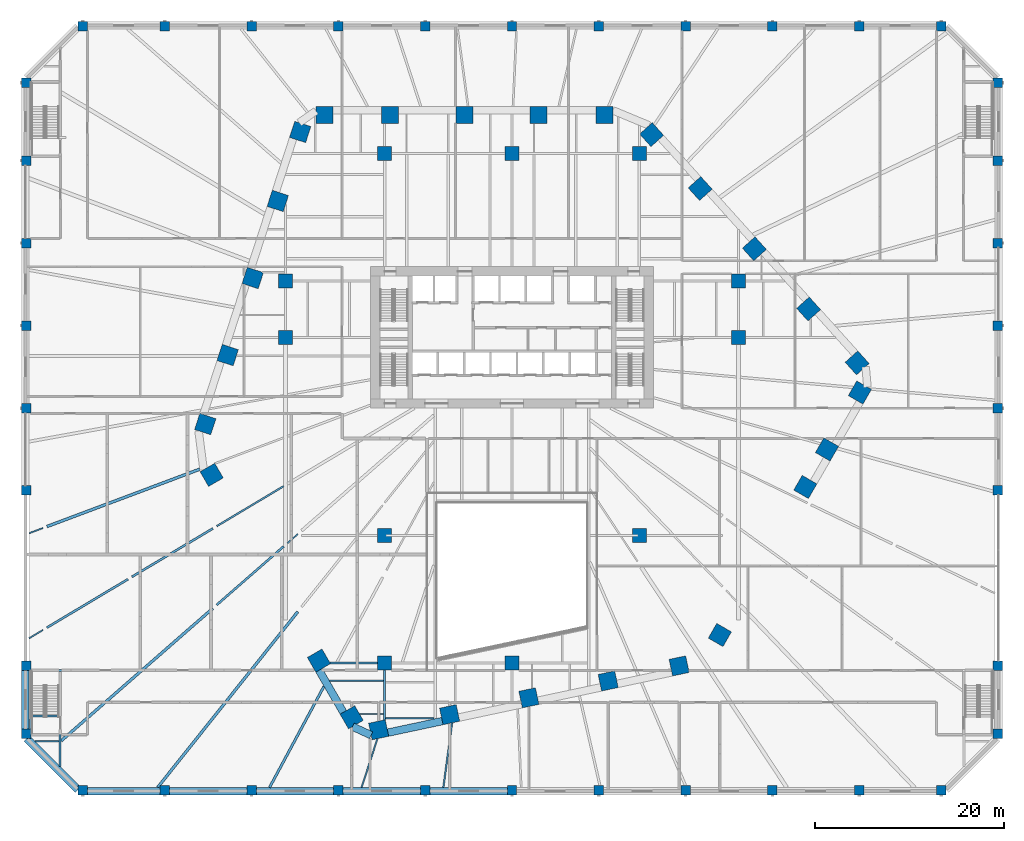
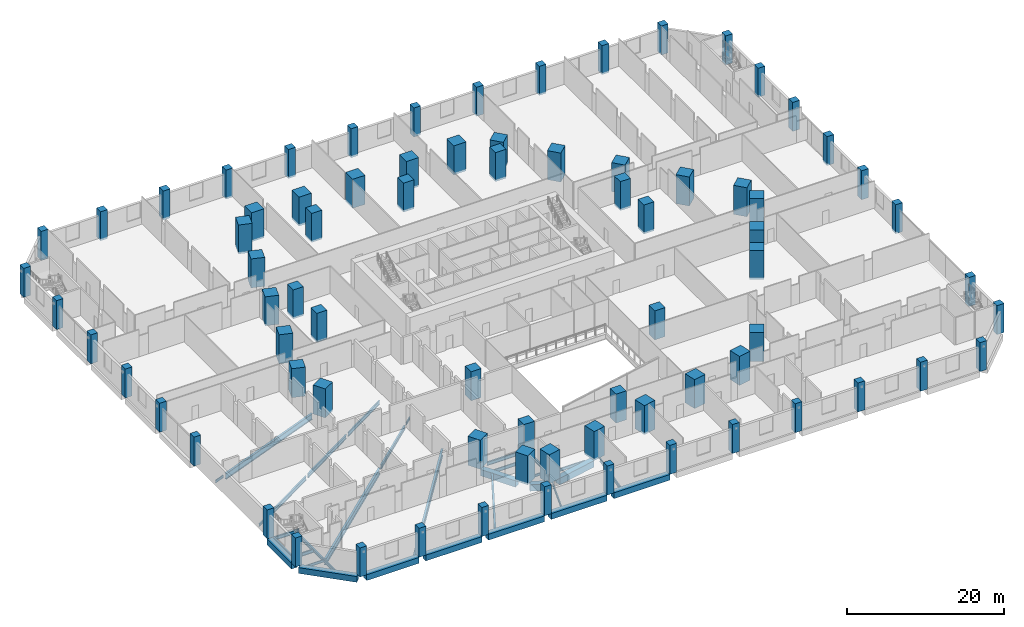
# One storey, part 1 of 33: 76 columns, 33 beams.
"""IFC4 building model written with IfcOpenShell, lengths in metres."""

from ifc_helpers import new_model, si_unit, direction, frame, origin, origin_2d, place, context, subcontext, project, spatial, rectangle, i_section, extrude, material, material_profile, profile_set, type_object, element, save


model = new_model("IFC4")

# Units and contexts
model_context = context("Model", 3, precision=1e-05, world=origin(), true_north=direction((0.0, 1.0)))
body_context = subcontext(model_context, "Body", "Model", "MODEL_VIEW")
ifc_project = project(units=[si_unit("LENGTHUNIT", "METRE"), si_unit("AREAUNIT", "SQUARE_METRE"), si_unit("VOLUMEUNIT", "CUBIC_METRE"), si_unit("PLANEANGLEUNIT", "RADIAN"), si_unit("MASSUNIT", "GRAM", prefix="KILO")], contexts=[model_context])

# Site, building, storey
site_placement = place(None, origin())
site = spatial("IfcSite", under=ifc_project, at=site_placement, CompositionType="ELEMENT")
building_placement = place(site_placement, origin())
building = spatial("IfcBuilding", under=site, at=building_placement, Name="Isthmus Gate Tower", CompositionType="ELEMENT")
storey_placement = place(building_placement, frame((0.0, 0.0, 22.5)))
storey = spatial("IfcBuildingStorey", under=building, at=storey_placement, Name="L03", CompositionType="ELEMENT", Elevation=22.5)

# Columns
ifc_material_1 = material(Name="Concrete f'c 70 MPa", Category="concrete")
ifc_material_profile_1 = material_profile(ifc_material_1, rectangle(XDim=1.5, YDim=1.5, at=origin_2d()), Name="RC 1500X1500")
ifc_profile_set_1 = profile_set([ifc_material_profile_1], Name="Concrete f'c 70 MPa")
column_type_1 = type_object("IfcColumnType", Name="RC INTERIOR COLUMN 1500 X 1500", PredefinedType="COLUMN", material=ifc_profile_set_1)
for number, where, z_axis, x_axis, name in (
    (1, (-24.0, 7.5, -0.300048828125), (0.0, 0.0, 1.0), (1.0, 0.0, 0.0), "str-icol-L03-ICA3"),
    (2, (-24.0, 13.5, -0.300048828125), (0.0, 0.0, 1.0), (1.0, 0.0, 0.0), "str-icol-L03-ICA4"),
    (3, (-13.5, -27.0, -0.300048828125), (0.0, 0.0, 1.0), (1.0, 0.0, 0.0), "str-icol-L03-ICB1"),
    (4, (-13.5, -13.5, -0.300048828125), (0.0, 0.0, 1.0), (1.0, 0.0, 0.0), "str-icol-L03-ICB2"),
    (5, (-13.5, 27.0, -0.300048828125), (0.0, 0.0, 1.0), (1.0, 0.0, 0.0), "str-icol-L03-ICB5"),
    (6, (0.0, -27.0, -0.300048828125), (0.0, 0.0, 1.0), (1.0, 0.0, 0.0), "str-icol-L03-ICC1"),
    (7, (0.0, 27.0, -0.300048828125), (0.0, 0.0, 1.0), (1.0, 0.0, 0.0), "str-icol-L03-ICC5"),
    (8, (13.5, -13.5, -0.300048828125), (0.0, 0.0, 1.0), (1.0, 0.0, 0.0), "str-icol-L03-ICD2"),
    (9, (13.5, 27.0, -0.300048828125), (0.0, 0.0, 1.0), (1.0, 0.0, 0.0), "str-icol-L03-ICD5"),
    (10, (24.0, 7.5, -0.300048828125), (0.0, 0.0, 1.0), (1.0, 0.0, 0.0), "str-icol-L03-ICE3"),
    (11, (24.0, 13.5, -0.300048828125), (0.0, 0.0, 1.0), (1.0, 0.0, 0.0), "str-icol-L03-ICE4"),
):
    element("IfcColumn", number, at=place(storey_placement, frame(where, z_axis=z_axis, x_axis=x_axis)), inside=storey, type_object=column_type_1, Name=name, PredefinedType="COLUMN", context=body_context, shape_type="SweptSolid", body=[
        extrude(rectangle(XDim=1.5, YDim=1.5, at=origin_2d()), origin(), (0.0, 0.0, 1.0), 4.5),
    ])
ifc_material_2 = material(Name="Concrete f'c 70 MPa", Category="concrete")
ifc_material_profile_2 = material_profile(ifc_material_2, rectangle(XDim=1.0, YDim=1.0, at=origin_2d()), Name="RC 1000X1000")
ifc_profile_set_2 = profile_set([ifc_material_profile_2], Name="Concrete f'c 70 MPa")
column_type_2 = type_object("IfcColumnType", Name="RC PODIUM COLUMN 1000 X 1000", PredefinedType="COLUMN", material=ifc_profile_set_2)
for number, where, z_axis, x_axis, name in (
    (12, (-45.5, -40.5, -0.300048828125), (0.0, 0.0, 1.0), (1.0, 0.0, 0.0), "str-pcol-L03-PC01"),
    (13, (-36.800048828125, -40.5, -0.300048828125), (0.0, 0.0, 1.0), (1.0, 0.0, 0.0), "str-pcol-L03-PC02"),
    (14, (-27.60009765625, -40.5, -0.300048828125), (0.0, 0.0, 1.0), (1.0, 0.0, 0.0), "str-pcol-L03-PC03"),
    (15, (-18.39990234375, -40.5, -0.300048828125), (0.0, 0.0, 1.0), (1.0, 0.0, 0.0), "str-pcol-L03-PC04"),
    (16, (-9.199951171875, -40.5, -0.300048828125), (0.0, 0.0, 1.0), (1.0, 0.0, 0.0), "str-pcol-L03-PC05"),
    (17, (0.0, -40.5, -0.300048828125), (0.0, 0.0, 1.0), (1.0, 0.0, 0.0), "str-pcol-L03-PC06"),
    (18, (9.199951171875, -40.5, -0.300048828125), (0.0, 0.0, 1.0), (1.0, 0.0, 0.0), "str-pcol-L03-PC07"),
    (19, (18.39990234375, -40.5, -0.300048828125), (0.0, 0.0, 1.0), (1.0, 0.0, 0.0), "str-pcol-L03-PC08"),
    (20, (27.60009765625, -40.5, -0.300048828125), (0.0, 0.0, 1.0), (1.0, 0.0, 0.0), "str-pcol-L03-PC09"),
    (21, (36.800048828125, -40.5, -0.300048828125), (0.0, 0.0, 1.0), (1.0, 0.0, 0.0), "str-pcol-L03-PC10"),
    (22, (45.5, -40.5, -0.300048828125), (0.0, 0.0, 1.0), (1.0, 0.0, 0.0), "str-pcol-L03-PC11"),
    (23, (51.5, -34.5, -0.300048828125), (0.0, 0.0, 1.0), (0.0, 1.0, 0.0), "str-pcol-L03-PC12"),
    (24, (51.5, 0.0, -0.300048828125), (0.0, 0.0, 1.0), (0.0, 1.0, 0.0), "str-pcol-L03-PC13"),
    (25, (51.5, 8.75, -0.300048828125), (0.0, 0.0, 1.0), (0.0, 1.0, 0.0), "str-pcol-L03-PC14"),
    (26, (51.5, 17.5, -0.300048828125), (0.0, 0.0, 1.0), (0.0, 1.0, 0.0), "str-pcol-L03-PC15"),
    (27, (51.5, 26.25, -0.300048828125), (0.0, 0.0, 1.0), (0.0, 1.0, 0.0), "str-pcol-L03-PC16"),
    (28, (51.5, 34.5, -0.300048828125), (0.0, 0.0, 1.0), (0.0, 1.0, 0.0), "str-pcol-L03-PC17"),
    (29, (45.5, 40.5, -0.300048828125), (0.0, 0.0, 1.0), (-1.0, 0.0, 0.0), "str-pcol-L03-PC18"),
    (30, (36.800048828125, 40.5, -0.300048828125), (0.0, 0.0, 1.0), (-1.0, 0.0, 0.0), "str-pcol-L03-PC19"),
    (31, (27.60009765625, 40.5, -0.300048828125), (0.0, 0.0, 1.0), (-1.0, 0.0, 0.0), "str-pcol-L03-PC20"),
    (32, (18.39990234375, 40.5, -0.300048828125), (0.0, 0.0, 1.0), (-1.0, 0.0, 0.0), "str-pcol-L03-PC21"),
    (33, (9.199951171875, 40.5, -0.300048828125), (0.0, 0.0, 1.0), (-1.0, 0.0, 0.0), "str-pcol-L03-PC22"),
    (34, (0.0, 40.5, -0.300048828125), (0.0, 0.0, 1.0), (-1.0, 0.0, 0.0), "str-pcol-L03-PC23"),
    (35, (-9.199951171875, 40.5, -0.300048828125), (0.0, 0.0, 1.0), (-1.0, 0.0, 0.0), "str-pcol-L03-PC24"),
    (36, (-18.39990234375, 40.5, -0.300048828125), (0.0, 0.0, 1.0), (-1.0, 0.0, 0.0), "str-pcol-L03-PC25"),
    (37, (-27.60009765625, 40.5, -0.300048828125), (0.0, 0.0, 1.0), (-1.0, 0.0, 0.0), "str-pcol-L03-PC26"),
    (38, (-36.800048828125, 40.5, -0.300048828125), (0.0, 0.0, 1.0), (-1.0, 0.0, 0.0), "str-pcol-L03-PC27"),
    (39, (-45.5, 40.5, -0.300048828125), (0.0, 0.0, 1.0), (-1.0, 0.0, 0.0), "str-pcol-L03-PC28"),
    (40, (-51.5, 34.5, -0.300048828125), (0.0, 0.0, 1.0), (0.0, -1.0, 0.0), "str-pcol-L03-PC29"),
    (41, (-51.5, 26.25, -0.300048828125), (0.0, 0.0, 1.0), (0.0, -1.0, 0.0), "str-pcol-L03-PC30"),
    (42, (-51.5, 17.5, -0.300048828125), (0.0, 0.0, 1.0), (0.0, -1.0, 0.0), "str-pcol-L03-PC31"),
    (43, (-51.5, 8.75, -0.300048828125), (0.0, 0.0, 1.0), (0.0, -1.0, 0.0), "str-pcol-L03-PC32"),
    (44, (-51.5, 0.0, -0.300048828125), (0.0, 0.0, 1.0), (0.0, -1.0, 0.0), "str-pcol-L03-PC33"),
    (45, (-51.5, -34.5, -0.300048828125), (0.0, 0.0, 1.0), (0.0, -1.0, 0.0), "str-pcol-L03-PC34"),
    (46, (-51.5, -27.300048828125, -0.300048828125), (0.0, 0.0, 1.0), (0.0, 1.0, 0.0), "str-pcol-L03-PC35"),
    (47, (-51.5, -8.699951171875, -0.300048828125), (0.0, 0.0, 1.0), (0.0, 1.0, 0.0), "str-pcol-L03-PC36"),
    (48, (51.5, -27.300048828125, -0.300048828125), (0.0, 0.0, 1.0), (0.0, 1.0, 0.0), "str-pcol-L03-PC37"),
    (49, (51.5, -8.699951171875, -0.300048828125), (0.0, 0.0, 1.0), (0.0, 1.0, 0.0), "str-pcol-L03-PC38"),
):
    element("IfcColumn", number, at=place(storey_placement, frame(where, z_axis=z_axis, x_axis=x_axis)), inside=storey, type_object=column_type_2, Name=name, PredefinedType="COLUMN", context=body_context, shape_type="SweptSolid", body=[
        extrude(rectangle(XDim=1.0, YDim=1.0, at=origin_2d()), origin(), (0.0, 0.0, 1.0), 4.5),
    ])
ifc_material_3 = material(Name="Concrete f'c 70 MPa", Category="concrete")
ifc_material_profile_3 = material_profile(ifc_material_3, rectangle(XDim=1.800048828125, YDim=1.800048828125, at=origin_2d()), Name="RC 1800X1800")
ifc_profile_set_3 = profile_set([ifc_material_profile_3], Name="Concrete f'c 70 MPa")
column_type_3 = type_object("IfcColumnType", Name="RC TUBE COLUMN 1800 X 1800", PredefinedType="COLUMN", material=ifc_profile_set_3)
for number, where, z_axis, x_axis, name in (
    (50, (9.8017578125, 31.10009765625, -0.300048828125), (0.0, 0.0, 1.0), (-1.0, 0.0, 0.0), "str-tcol-L03-T1N0"),
    (51, (2.832275390625, 31.10009765625, -0.300048828125), (0.0, 0.0, 1.0), (-1.0, 0.0, 0.0), "str-tcol-L03-T1N1"),
    (52, (-5.037109375, 31.10009765625, -0.300048828125), (0.0, 0.0, 1.0), (-1.0, 0.0, 0.0), "str-tcol-L03-T1N2"),
    (53, (-12.90673828125, 31.10009765625, -0.300048828125), (0.0, 0.0, 1.0), (-1.0, 0.0, 0.0), "str-tcol-L03-T1N3"),
    (54, (-19.876220703125, 31.10009765625, -0.300048828125), (0.0, 0.0, 1.0), (-1.0, 0.0, 0.0), "str-tcol-L03-T1N4"),
    (55, (-22.451171875, 29.281005859375, -0.300048828125), (0.0, 0.0, 1.0), (-0.309016994375, -0.951056516295, 0.0), "str-tcol-L03-T1NW0"),
    (56, (-24.827392578125, 21.9677734375, -0.300048828125), (0.0, 0.0, 1.0), (-0.309016994375, -0.951056516295, 0.0), "str-tcol-L03-T1NW1"),
    (57, (-27.481689453125, 13.798828125, -0.300048828125), (0.0, 0.0, 1.0), (-0.309016994375, -0.951056516295, 0.0), "str-tcol-L03-T1NW2"),
    (58, (-30.135986328125, 5.6298828125, -0.300048828125), (0.0, 0.0, 1.0), (-0.309016994375, -0.951056516295, 0.0), "str-tcol-L03-T1NW3"),
    (59, (-32.511962890625, -1.68310546875, -0.300048828125), (0.0, 0.0, 1.0), (-0.309016994375, -0.951056516295, 0.0), "str-tcol-L03-T1NW4"),
    (60, (-31.834228515625, -7.061279296875, -0.300048828125), (0.0, 0.0, 1.0), (0.5, -0.866025403784, 0.0), "str-tcol-L03-T1SW0"),
    (61, (-20.467041015625, -26.75, -0.300048828125), (0.0, 0.0, 1.0), (0.5, -0.866025403784, 0.0), "str-tcol-L03-T1SW2"),
    (62, (-16.995361328125, -32.763427734375, -0.300048828125), (0.0, 0.0, 1.0), (0.5, -0.866025403784, 0.0), "str-tcol-L03-T1SW3"),
    (63, (-14.13232421875, -34.083740234375, -0.300048828125), (0.0, 0.0, 1.0), (0.978147600734, 0.207911690818, 0.0), "str-tcol-L03-T1S0"),
    (64, (-6.611083984375, -32.485107421875, -0.300048828125), (0.0, 0.0, 1.0), (0.978147600734, 0.207911690818, 0.0), "str-tcol-L03-T1S1"),
    (65, (1.79052734375, -30.69921875, -0.300048828125), (0.0, 0.0, 1.0), (0.978147600734, 0.207911690818, 0.0), "str-tcol-L03-T1S2"),
    (66, (10.192138671875, -28.91357421875, -0.300048828125), (0.0, 0.0, 1.0), (0.978147600734, 0.207911690818, 0.0), "str-tcol-L03-T1S3"),
    (67, (17.713623046875, -27.314697265625, -0.300048828125), (0.0, 0.0, 1.0), (0.978147600734, 0.207911690818, 0.0), "str-tcol-L03-T1S4"),
    (68, (22.032470703125, -24.03857421875, -0.300048828125), (0.0, 0.0, 1.0), (0.5, 0.866025403784, 0.0), "str-tcol-L03-T1SE0"),
    (69, (31.09033203125, -8.35009765625, -0.300048828125), (0.0, 0.0, 1.0), (0.5, 0.866025403784, 0.0), "str-tcol-L03-T1SE1"),
    (70, (33.38671875, -4.37255859375, -0.300048828125), (0.0, 0.0, 1.0), (0.5, 0.866025403784, 0.0), "str-tcol-L03-T1SE2"),
    (71, (36.87158203125, 1.663330078125, -0.300048828125), (0.0, 0.0, 1.0), (0.5, 0.866025403784, 0.0), "str-tcol-L03-T1SE3"),
    (72, (36.583740234375, 4.802978515625, -0.300048828125), (0.0, 0.0, 1.0), (-0.669130606359, 0.743144825477, 0.0), "str-tcol-L03-T1NE0"),
    (73, (31.4384765625, 10.517333984375, -0.300048828125), (0.0, 0.0, 1.0), (-0.669130606359, 0.743144825477, 0.0), "str-tcol-L03-T1NE1"),
    (74, (25.691162109375, 16.900390625, -0.300048828125), (0.0, 0.0, 1.0), (-0.669130606359, 0.743144825477, 0.0), "str-tcol-L03-T1NE2"),
    (75, (19.943603515625, 23.283447265625, -0.300048828125), (0.0, 0.0, 1.0), (-0.669130606359, 0.743144825477, 0.0), "str-tcol-L03-T1NE3"),
    (76, (14.798583984375, 28.997802734375, -0.300048828125), (0.0, 0.0, 1.0), (-0.669130606359, 0.743144825477, 0.0), "str-tcol-L03-T1NE4"),
):
    element("IfcColumn", number, at=place(storey_placement, frame(where, z_axis=z_axis, x_axis=x_axis)), inside=storey, type_object=column_type_3, Name=name, PredefinedType="COLUMN", context=body_context, shape_type="SweptSolid", body=[
        extrude(rectangle(XDim=1.800048828125, YDim=1.800048828125, at=origin_2d()), origin(), (0.0, 0.0, 1.0), 4.5),
    ])

# Beams
ifc_material_4 = material(Name="Concrete f'c 70 MPa", Category="concrete")
ifc_material_profile_4 = material_profile(ifc_material_4, rectangle(XDim=0.800048828125, YDim=0.89990234375, at=origin_2d()), Name="RC 800X900")
ifc_profile_set_4 = profile_set([ifc_material_profile_4], Name="Concrete f'c 70 MPa")
beam_type_1 = type_object("IfcBeamType", Name="RC EDGE BEAM 800 X 900", PredefinedType="BEAM", material=ifc_profile_set_4)
beam_1_placement = place(storey_placement, frame((-46.0, -40.434326171875, -0.75), z_axis=(-0.707106781187, 0.707106781187, 0.0), x_axis=(-0.707106781187, -0.707106781187, 0.0)))
element("IfcBeam", 77, at=beam_1_placement, inside=storey, type_object=beam_type_1, Name="str-edgebeam-L03-00", PredefinedType="BEAM", context=body_context, shape_type="SweptSolid", body=[
    extrude(rectangle(XDim=0.800048828125, YDim=0.89990234375, at=origin_2d()), origin(), (0.0, 0.0, 1.0), 7.685302734375),
])
beam_2_placement = place(storey_placement, frame((-51.60009765625, -34.0, -0.75), z_axis=(0.0, 1.0, 0.0), x_axis=(-1.0, 0.0, 0.0)))
element("IfcBeam", 78, at=beam_2_placement, inside=storey, type_object=beam_type_1, Name="str-edgebeam-L03-01", PredefinedType="BEAM", context=body_context, shape_type="SweptSolid", body=[
    extrude(rectangle(XDim=0.800048828125, YDim=0.89990234375, at=origin_2d()), origin(), (0.0, 0.0, 1.0), 6.199951171875),
])
for number, where, z_axis, x_axis, name in (
    (79, (-0.5, -40.60009765625, -0.75), (-1.0, 0.0, 0.0), (0.0, -1.0, 0.0), "str-edgebeam-L03-33"),
    (80, (-9.699951171875, -40.60009765625, -0.75), (-1.0, 0.0, 0.0), (0.0, -1.0, 0.0), "str-edgebeam-L03-34"),
):
    element("IfcBeam", number, at=place(storey_placement, frame(where, z_axis=z_axis, x_axis=x_axis)), inside=storey, type_object=beam_type_1, Name=name, PredefinedType="BEAM", context=body_context, shape_type="SweptSolid", body=[
        extrude(rectangle(XDim=0.800048828125, YDim=0.89990234375, at=origin_2d()), origin(), (0.0, 0.0, 1.0), 8.199951171875),
    ])
beam_3_placement = place(storey_placement, frame((-18.89990234375, -40.60009765625, -0.75), z_axis=(-1.0, 0.0, 0.0), x_axis=(0.0, -1.0, 0.0)))
element("IfcBeam", 81, at=beam_3_placement, inside=storey, type_object=beam_type_1, Name="str-edgebeam-L03-35", PredefinedType="BEAM", context=body_context, shape_type="SweptSolid", body=[
    extrude(rectangle(XDim=0.800048828125, YDim=0.89990234375, at=origin_2d()), origin(), (0.0, 0.0, 1.0), 8.2001953125),
])
beam_4_placement = place(storey_placement, frame((-28.10009765625, -40.60009765625, -0.75), z_axis=(-1.0, 0.0, 0.0), x_axis=(0.0, -1.0, 0.0)))
element("IfcBeam", 82, at=beam_4_placement, inside=storey, type_object=beam_type_1, Name="str-edgebeam-L03-36", PredefinedType="BEAM", context=body_context, shape_type="SweptSolid", body=[
    extrude(rectangle(XDim=0.800048828125, YDim=0.89990234375, at=origin_2d()), origin(), (0.0, 0.0, 1.0), 8.199951171875),
])
beam_5_placement = place(storey_placement, frame((-37.300048828125, -40.60009765625, -0.75), z_axis=(-1.0, 0.0, 0.0), x_axis=(0.0, -1.0, 0.0)))
element("IfcBeam", 83, at=beam_5_placement, inside=storey, type_object=beam_type_1, Name="str-edgebeam-L03-37", PredefinedType="BEAM", context=body_context, shape_type="SweptSolid", body=[
    extrude(rectangle(XDim=0.800048828125, YDim=0.89990234375, at=origin_2d()), origin(), (0.0, 0.0, 1.0), 7.699951171875),
])
ifc_material_5 = material(Name="Concrete f'c 70 MPa", Category="concrete")
ifc_material_profile_5 = material_profile(ifc_material_5, rectangle(XDim=0.800048828125, YDim=1.0, at=origin_2d()), Name="RC 800X1000")
ifc_profile_set_5 = profile_set([ifc_material_profile_5], Name="Concrete f'c 70 MPa")
beam_type_2 = type_object("IfcBeamType", Name="RC TUBE RING BEAM 800 X 1000", PredefinedType="BEAM", material=ifc_profile_set_5)
beam_6_placement = place(storey_placement, frame((-7.387451171875, -33.161376953125, -0.800048828125), z_axis=(-0.978149894464, -0.207900899374, 0.0), x_axis=(0.207900899374, -0.978149894464, 0.0)))
element("IfcBeam", 84, at=beam_6_placement, inside=storey, type_object=beam_type_2, Name="str-ringbeam-L03-11", PredefinedType="BEAM", context=body_context, shape_type="SweptSolid", body=[
    extrude(rectangle(XDim=0.800048828125, YDim=1.0, at=origin_2d()), origin(), (0.0, 0.0, 1.0), 5.88916015625),
])
beam_7_placement = place(storey_placement, frame((-14.929443359375, -34.662109375, -0.800048828125), z_axis=(-0.907290744498, 0.420503870314, 0.0), x_axis=(-0.420503870314, -0.907290744498, 0.0)))
element("IfcBeam", 85, at=beam_7_placement, inside=storey, type_object=beam_type_2, Name="str-ringbeam-L03-12", PredefinedType="BEAM", context=body_context, shape_type="SweptSolid", body=[
    extrude(rectangle(XDim=0.800048828125, YDim=1.0, at=origin_2d()), origin(), (0.0, 0.0, 1.0), 2.173095703125),
])
beam_8_placement = place(storey_placement, frame((-17.878173828125, -32.23388671875, -0.800048828125), z_axis=(-0.500044296292, 0.865999827798, 0.0), x_axis=(-0.865999827798, -0.500044296292, 0.0)))
element("IfcBeam", 86, at=beam_8_placement, inside=storey, type_object=beam_type_2, Name="str-ringbeam-L03-13", PredefinedType="BEAM", context=body_context, shape_type="SweptSolid", body=[
    extrude(rectangle(XDim=0.800048828125, YDim=1.0, at=origin_2d()), origin(), (0.0, 0.0, 1.0), 5.1435546875),
])
ifc_material_6 = material(Name="Structural steel ASTM A992 Gr 50", Category="steel")
ifc_material_profile_6 = material_profile(ifc_material_6, i_section(OverallWidth=0.1396484375, OverallDepth=0.4033203125, WebThickness=0.00634765625, FlangeThickness=0.010986328125, at=origin_2d()), Name="W16X31")
ifc_profile_set_6 = profile_set([ifc_material_profile_6], Name="Structural steel ASTM A992 Gr 50")
beam_type_3 = type_object("IfcBeamType", Name="STEEL FLOOR BEAM W16X31", PredefinedType="JOIST", material=ifc_profile_set_6)
beam_9_placement = place(storey_placement, frame((-50.567138671875, -35.301513671875, -0.501708984375), z_axis=(1.0, 0.0, 0.0), x_axis=(0.0, 1.0, 0.0)))
element("IfcBeam", 87, at=beam_9_placement, inside=storey, type_object=beam_type_3, Name="str-beam-L03-03-00", PredefinedType="JOIST", context=body_context, shape_type="SweptSolid", body=[
    extrude(i_section(OverallWidth=0.1396484375, OverallDepth=0.4033203125, WebThickness=0.00634765625, FlangeThickness=0.010986328125, at=origin_2d()), origin(), (0.0, 0.0, 1.0), 2.567138671875),
])
beam_10_placement = place(storey_placement, frame((-16.162353515625, -32.406005859375, -0.501708984375), z_axis=(1.0, 0.0, 0.0), x_axis=(0.0, 1.0, 0.0)))
element("IfcBeam", 88, at=beam_10_placement, inside=storey, type_object=beam_type_3, Name="str-beam-L03-09-00", PredefinedType="JOIST", context=body_context, shape_type="SweptSolid", body=[
    extrude(i_section(OverallWidth=0.1396484375, OverallDepth=0.4033203125, WebThickness=0.00634765625, FlangeThickness=0.010986328125, at=origin_2d()), origin(), (0.0, 0.0, 1.0), 2.5576171875),
])
beam_11_placement = place(storey_placement, frame((-49.7080078125, -12.6982421875, -0.501708984375), z_axis=(-0.936209500764, -0.351442414458, 0.0), x_axis=(0.351442414458, -0.936209500764, 0.0)))
element("IfcBeam", 89, at=beam_11_placement, inside=storey, type_object=beam_type_3, Name="str-beam-L03-15-27", PredefinedType="JOIST", context=body_context, shape_type="SweptSolid", body=[
    extrude(i_section(OverallWidth=0.1396484375, OverallDepth=0.4033203125, WebThickness=0.00634765625, FlangeThickness=0.010986328125, at=origin_2d()), origin(), (0.0, 0.0, 1.0), 1.593505859375),
])
beam_12_placement = place(storey_placement, frame((-49.7080078125, -23.502197265625, -0.501708984375), z_axis=(-0.858458227705, -0.512883487048, 0.0), x_axis=(0.512883487048, -0.858458227705, 0.0)))
element("IfcBeam", 90, at=beam_12_placement, inside=storey, type_object=beam_type_3, Name="str-beam-L03-15-32", PredefinedType="JOIST", context=body_context, shape_type="SweptSolid", body=[
    extrude(i_section(OverallWidth=0.1396484375, OverallDepth=0.4033203125, WebThickness=0.00634765625, FlangeThickness=0.010986328125, at=origin_2d()), origin(), (0.0, 0.0, 1.0), 1.738037109375),
])
beam_13_placement = place(storey_placement, frame((-22.7080078125, -13.3447265625, -0.501708984375), z_axis=(-0.753066662133, -0.657944224372, 0.0), x_axis=(0.657944224372, -0.753066662133, 0.0)))
element("IfcBeam", 91, at=beam_13_placement, inside=storey, type_object=beam_type_3, Name="str-beam-L03-15-34", PredefinedType="JOIST", context=body_context, shape_type="SweptSolid", body=[
    extrude(i_section(OverallWidth=0.1396484375, OverallDepth=0.4033203125, WebThickness=0.00634765625, FlangeThickness=0.010986328125, at=origin_2d()), origin(), (0.0, 0.0, 1.0), 1.4501953125),
])
ifc_material_7 = material(Name="Structural steel ASTM A992 Gr 50", Category="steel")
ifc_material_profile_7 = material_profile(ifc_material_7, i_section(OverallWidth=0.15234375, OverallDepth=0.45068359375, WebThickness=0.0078125, FlangeThickness=0.010986328125, at=origin_2d()), Name="W18X35")
ifc_profile_set_7 = profile_set([ifc_material_profile_7], Name="Structural steel ASTM A992 Gr 50")
beam_type_4 = type_object("IfcBeamType", Name="STEEL FLOOR BEAM W18X35", PredefinedType="JOIST", material=ifc_profile_set_7)
beam_14_placement = place(storey_placement, frame((-13.395263671875, -32.85888671875, -0.525390625), z_axis=(1.0, 0.0, 0.0), x_axis=(0.0, 1.0, 0.0)))
element("IfcBeam", 92, at=beam_14_placement, inside=storey, type_object=beam_type_4, Name="str-beam-L03-10-00", PredefinedType="JOIST", context=body_context, shape_type="SweptSolid", body=[
    extrude(i_section(OverallWidth=0.15234375, OverallDepth=0.45068359375, WebThickness=0.0078125, FlangeThickness=0.010986328125, at=origin_2d()), origin(), (0.0, 0.0, 1.0), 5.103271484375),
])
beam_15_placement = place(storey_placement, frame((-14.2646484375, -35.031982421875, -0.525390625), z_axis=(-0.309021052953, -0.951055197574, 0.0), x_axis=(0.951055197574, -0.309021052953, 0.0)))
element("IfcBeam", 93, at=beam_15_placement, inside=storey, type_object=beam_type_4, Name="str-beam-L03-15-46", PredefinedType="JOIST", context=body_context, shape_type="SweptSolid", body=[
    extrude(i_section(OverallWidth=0.15234375, OverallDepth=0.45068359375, WebThickness=0.0078125, FlangeThickness=0.010986328125, at=origin_2d()), origin(), (0.0, 0.0, 1.0), 5.433837890625),
])
ifc_material_8 = material(Name="Structural steel ASTM A992 Gr 50", Category="steel")
ifc_material_profile_8 = material_profile(ifc_material_8, i_section(OverallWidth=0.1650390625, OverallDepth=0.52392578125, WebThickness=0.009521484375, FlangeThickness=0.010986328125, at=origin_2d()), Name="W21X44")
ifc_profile_set_8 = profile_set([ifc_material_profile_8], Name="Structural steel ASTM A992 Gr 50")
beam_type_5 = type_object("IfcBeamType", Name="STEEL FLOOR BEAM W21X44", PredefinedType="JOIST", material=ifc_profile_set_8)
beam_16_placement = place(storey_placement, frame((-19.357421875, -28.871826171875, -0.56201171875), z_axis=(1.0, 0.0, 0.0), x_axis=(0.0, 1.0, 0.0)))
element("IfcBeam", 94, at=beam_16_placement, inside=storey, type_object=beam_type_5, Name="str-beam-L03-09-01", PredefinedType="JOIST", context=body_context, shape_type="SweptSolid", body=[
    extrude(i_section(OverallWidth=0.1650390625, OverallDepth=0.52392578125, WebThickness=0.009521484375, FlangeThickness=0.010986328125, at=origin_2d()), origin(), (0.0, 0.0, 1.0), 5.752685546875),
])
beam_17_placement = place(storey_placement, frame((-6.347412109375, -33.34912109375, -0.56201171875), z_axis=(-0.134229079502, -0.990950328834, 0.0), x_axis=(0.990950328834, -0.134229079502, 0.0)))
element("IfcBeam", 95, at=beam_17_placement, inside=storey, type_object=beam_type_5, Name="str-beam-L03-15-47", PredefinedType="JOIST", context=body_context, shape_type="SweptSolid", body=[
    extrude(i_section(OverallWidth=0.1650390625, OverallDepth=0.52392578125, WebThickness=0.009521484375, FlangeThickness=0.010986328125, at=origin_2d()), origin(), (0.0, 0.0, 1.0), 6.913330078125),
])
ifc_material_9 = material(Name="Structural steel ASTM A992 Gr 50", Category="steel")
ifc_material_profile_9 = material_profile(ifc_material_9, i_section(OverallWidth=0.177734375, OverallDepth=0.60009765625, WebThickness=0.009521484375, FlangeThickness=0.0126953125, at=origin_2d()), Name="W24X55")
ifc_profile_set_9 = profile_set([ifc_material_profile_9], Name="Structural steel ASTM A992 Gr 50")
beam_type_6 = type_object("IfcBeamType", Name="STEEL FLOOR BEAM W24X55", PredefinedType="JOIST", material=ifc_profile_set_9)
beam_18_placement = place(storey_placement, frame((-24.199951171875, -8.261962890625, -0.60009765625), z_axis=(-0.858448397208, -0.512899940857, 0.0), x_axis=(0.512899940857, -0.858448397208, 0.0)))
element("IfcBeam", 96, at=beam_18_placement, inside=storey, type_object=beam_type_6, Name="str-beam-L03-15-29", PredefinedType="JOIST", context=body_context, shape_type="SweptSolid", body=[
    extrude(i_section(OverallWidth=0.177734375, OverallDepth=0.60009765625, WebThickness=0.009521484375, FlangeThickness=0.0126953125, at=origin_2d()), origin(), (0.0, 0.0, 1.0), 8.261474609375),
])
ifc_material_10 = material(Name="Structural steel ASTM A992 Gr 50", Category="steel")
ifc_material_profile_10 = material_profile(ifc_material_10, i_section(OverallWidth=0.228515625, OverallDepth=0.603271484375, WebThickness=0.010986328125, FlangeThickness=0.014404296875, at=origin_2d()), Name="W24X68")
ifc_profile_set_10 = profile_set([ifc_material_profile_10], Name="Structural steel ASTM A992 Gr 50")
beam_type_7 = type_object("IfcBeamType", Name="STEEL FLOOR BEAM W24X68", PredefinedType="JOIST", material=ifc_profile_set_10)
for number, where, z_axis, x_axis, name in (
    (97, (-31.7080078125, -12.747802734375, -0.6015625), (-0.858450105809, -0.512897081135, 0.0), (0.512897081135, -0.858450105809, 0.0), "str-beam-L03-15-30"),
    (98, (-40.7080078125, -18.125, -0.6015625), (-0.858450105809, -0.512897081135, 0.0), (0.512897081135, -0.858450105809, 0.0), "str-beam-L03-15-31"),
):
    element("IfcBeam", number, at=place(storey_placement, frame(where, z_axis=z_axis, x_axis=x_axis)), inside=storey, type_object=beam_type_7, Name=name, PredefinedType="JOIST", context=body_context, shape_type="SweptSolid", body=[
        extrude(i_section(OverallWidth=0.228515625, OverallDepth=0.603271484375, WebThickness=0.010986328125, FlangeThickness=0.014404296875, at=origin_2d()), origin(), (0.0, 0.0, 1.0), 9.99951171875),
    ])
beam_19_placement = place(storey_placement, frame((-24.199951171875, -14.648193359375, -0.6015625), z_axis=(-0.753063078366, -0.65794832624, 0.0), x_axis=(0.65794832624, -0.753063078366, 0.0)))
element("IfcBeam", 99, at=beam_19_placement, inside=storey, type_object=beam_type_7, Name="str-beam-L03-15-35", PredefinedType="JOIST", context=body_context, shape_type="SweptSolid", body=[
    extrude(i_section(OverallWidth=0.228515625, OverallDepth=0.603271484375, WebThickness=0.010986328125, FlangeThickness=0.014404296875, at=origin_2d()), origin(), (0.0, 0.0, 1.0), 9.41748046875),
])
ifc_material_11 = material(Name="Structural steel ASTM A992 Gr 50", Category="steel")
ifc_material_profile_11 = material_profile(ifc_material_11, i_section(OverallWidth=0.263427734375, OverallDepth=0.749267578125, WebThickness=0.0126953125, FlangeThickness=0.015869140625, at=origin_2d()), Name="W30X90")
ifc_profile_set_11 = profile_set([ifc_material_profile_11], Name="Structural steel ASTM A992 Gr 50")
beam_type_8 = type_object("IfcBeamType", Name="STEEL FLOOR BEAM W30X90", PredefinedType="JOIST", material=ifc_profile_set_11)
beam_20_placement = place(storey_placement, frame((-19.929931640625, -29.480224609375, -0.674560546875), z_axis=(-0.473870181205, -0.880594714591, 0.0), x_axis=(0.880594714591, -0.473870181205, 0.0)))
element("IfcBeam", 100, at=beam_20_placement, inside=storey, type_object=beam_type_8, Name="str-beam-L03-15-44", PredefinedType="JOIST", context=body_context, shape_type="SweptSolid", body=[
    extrude(i_section(OverallWidth=0.263427734375, OverallDepth=0.749267578125, WebThickness=0.0126953125, FlangeThickness=0.015869140625, at=origin_2d()), origin(), (0.0, 0.0, 1.0), 12.17333984375),
])
ifc_material_12 = material(Name="Structural steel ASTM A992 Gr 50", Category="steel")
ifc_material_profile_12 = material_profile(ifc_material_12, i_section(OverallWidth=0.3046875, OverallDepth=0.901611328125, WebThickness=0.015869140625, FlangeThickness=0.0205078125, at=origin_2d()), Name="W36X135")
ifc_profile_set_12 = profile_set([ifc_material_profile_12], Name="Structural steel ASTM A992 Gr 50")
beam_type_9 = type_object("IfcBeamType", Name="STEEL FLOOR BEAM W36X135", PredefinedType="JOIST", material=ifc_profile_set_12)
beam_21_placement = place(storey_placement, frame((-33.0986328125, -6.464599609375, -0.750732421875), z_axis=(-0.936231688753, -0.351383302072, 0.0), x_axis=(0.351383302072, -0.936231688753, 0.0)))
element("IfcBeam", 101, at=beam_21_placement, inside=storey, type_object=beam_type_9, Name="str-beam-L03-15-26", PredefinedType="JOIST", context=body_context, shape_type="SweptSolid", body=[
    extrude(i_section(OverallWidth=0.3046875, OverallDepth=0.901611328125, WebThickness=0.015869140625, FlangeThickness=0.0205078125, at=origin_2d()), origin(), (0.0, 0.0, 1.0), 17.29638671875),
])
ifc_material_13 = material(Name="Structural steel ASTM A992 Gr 50", Category="steel")
ifc_material_profile_13 = material_profile(ifc_material_13, i_section(OverallWidth=0.29833984375, OverallDepth=0.981201171875, WebThickness=0.015869140625, FlangeThickness=0.025390625, at=origin_2d()), Name="W40X167")
ifc_profile_set_13 = profile_set([ifc_material_profile_13], Name="Structural steel ASTM A992 Gr 50")
beam_type_10 = type_object("IfcBeamType", Name="STEEL FLOOR BEAM W40X167", PredefinedType="JOIST", material=ifc_profile_set_13)
beam_22_placement = place(storey_placement, frame((-31.7080078125, -21.207763671875, -0.79052734375), z_axis=(-0.753067957577, -0.657942741635, 0.0), x_axis=(0.657942741635, -0.753067957577, 0.0)))
element("IfcBeam", 102, at=beam_22_placement, inside=storey, type_object=beam_type_10, Name="str-beam-L03-15-36", PredefinedType="JOIST", context=body_context, shape_type="SweptSolid", body=[
    extrude(i_section(OverallWidth=0.29833984375, OverallDepth=0.981201171875, WebThickness=0.015869140625, FlangeThickness=0.025390625, at=origin_2d()), origin(), (0.0, 0.0, 1.0), 21.35595703125),
])
beam_23_placement = place(storey_placement, frame((-22.7080078125, -21.570556640625, -0.79052734375), z_axis=(-0.623489774226, -0.781831504504, 0.0), x_axis=(0.781831504504, -0.623489774226, 0.0)))
element("IfcBeam", 103, at=beam_23_placement, inside=storey, type_object=beam_type_10, Name="str-beam-L03-15-40", PredefinedType="JOIST", context=body_context, shape_type="SweptSolid", body=[
    extrude(i_section(OverallWidth=0.29833984375, OverallDepth=0.981201171875, WebThickness=0.015869140625, FlangeThickness=0.025390625, at=origin_2d()), origin(), (0.0, 0.0, 1.0), 23.827880859375),
])
ifc_material_14 = material(Name="Structural steel ASTM A992 Gr 50", Category="steel")
ifc_material_profile_14 = material_profile(ifc_material_14, i_section(OverallWidth=0.20947265625, OverallDepth=0.533447265625, WebThickness=0.009521484375, FlangeThickness=0.015869140625, at=origin_2d()), Name="W21X62")
ifc_profile_set_14 = profile_set([ifc_material_profile_14], Name="Structural steel ASTM A992 Gr 50")
beam_type_11 = type_object("IfcBeamType", Name="STEEL GIRDER W21X62", PredefinedType="BEAM", material=ifc_profile_set_14)
beam_24_placement = place(storey_placement, frame((-19.283447265625, -27.0, -0.566650390625), z_axis=(1.0, 0.0, 0.0), x_axis=(0.0, 1.0, 0.0)))
element("IfcBeam", 104, at=beam_24_placement, inside=storey, type_object=beam_type_11, Name="str-girder-L03-01", PredefinedType="BEAM", context=body_context, shape_type="SweptSolid", body=[
    extrude(i_section(OverallWidth=0.20947265625, OverallDepth=0.533447265625, WebThickness=0.009521484375, FlangeThickness=0.015869140625, at=origin_2d()), origin(), (0.0, 0.0, 1.0), 5.033447265625),
])
beam_25_placement = place(storey_placement, frame((-13.5, -33.029296875, -0.566650390625), z_axis=(0.0, 1.0, 0.0), x_axis=(-1.0, 0.0, 0.0)))
element("IfcBeam", 105, at=beam_25_placement, inside=storey, type_object=beam_type_11, Name="str-girder-L03-23", PredefinedType="BEAM", context=body_context, shape_type="SweptSolid", body=[
    extrude(i_section(OverallWidth=0.20947265625, OverallDepth=0.533447265625, WebThickness=0.009521484375, FlangeThickness=0.015869140625, at=origin_2d()), origin(), (0.0, 0.0, 1.0), 5.279296875),
])
ifc_material_15 = material(Name="Structural steel ASTM A992 Gr 50", Category="steel")
ifc_material_profile_15 = material_profile(ifc_material_15, i_section(OverallWidth=0.20947265625, OverallDepth=0.533447265625, WebThickness=0.009521484375, FlangeThickness=0.015869140625, at=origin_2d()), Name="W21X62")
ifc_profile_set_15 = profile_set([ifc_material_profile_15], Name="Structural steel ASTM A992 Gr 50")
beam_type_12 = type_object("IfcBeamType", Name="STEEL TRIMMER W21X62", PredefinedType="BEAM", material=ifc_profile_set_15)
beam_26_placement = place(storey_placement, frame((-47.895263671875, -37.973388671875, -0.566650390625), z_axis=(0.0, 1.0, 0.0), x_axis=(-1.0, 0.0, 0.0)))
element("IfcBeam", 106, at=beam_26_placement, inside=storey, type_object=beam_type_12, Name="str-trimmer-L03-03", PredefinedType="BEAM", context=body_context, shape_type="SweptSolid", body=[
    extrude(i_section(OverallWidth=0.20947265625, OverallDepth=0.533447265625, WebThickness=0.009521484375, FlangeThickness=0.015869140625, at=origin_2d()), origin(), (0.0, 0.0, 1.0), 10.04443359375),
])
beam_27_placement = place(storey_placement, frame((-51.0546875, -27.800048828125, -0.566650390625), z_axis=(0.0, -1.0, 0.0), x_axis=(1.0, 0.0, 0.0)))
element("IfcBeam", 107, at=beam_27_placement, inside=storey, type_object=beam_type_12, Name="str-trimmer-L03-04", PredefinedType="BEAM", context=body_context, shape_type="SweptSolid", body=[
    extrude(i_section(OverallWidth=0.20947265625, OverallDepth=0.533447265625, WebThickness=0.009521484375, FlangeThickness=0.015869140625, at=origin_2d()), origin(), (0.0, 0.0, 1.0), 6.199951171875),
])
beam_28_placement = place(storey_placement, frame((-47.300048828125, -27.82421875, -0.566650390625), z_axis=(-1.0, 0.0, 0.0), x_axis=(0.0, -1.0, 0.0)))
element("IfcBeam", 108, at=beam_28_placement, inside=storey, type_object=beam_type_12, Name="str-trimmer-L03-13", PredefinedType="BEAM", context=body_context, shape_type="SweptSolid", body=[
    extrude(i_section(OverallWidth=0.20947265625, OverallDepth=0.533447265625, WebThickness=0.009521484375, FlangeThickness=0.015869140625, at=origin_2d()), origin(), (0.0, 0.0, 1.0), 3.64990234375),
])
beam_29_placement = place(storey_placement, frame((-50.949951171875, -32.629638671875, -0.566650390625), z_axis=(1.0, 0.0, 0.0), x_axis=(0.0, 1.0, 0.0)))
element("IfcBeam", 109, at=beam_29_placement, inside=storey, type_object=beam_type_12, Name="str-trimmer-L03-14", PredefinedType="BEAM", context=body_context, shape_type="SweptSolid", body=[
    extrude(i_section(OverallWidth=0.20947265625, OverallDepth=0.533447265625, WebThickness=0.009521484375, FlangeThickness=0.015869140625, at=origin_2d()), origin(), (0.0, 0.0, 1.0), 2.949951171875),
])

save(model, "model.ifc")
